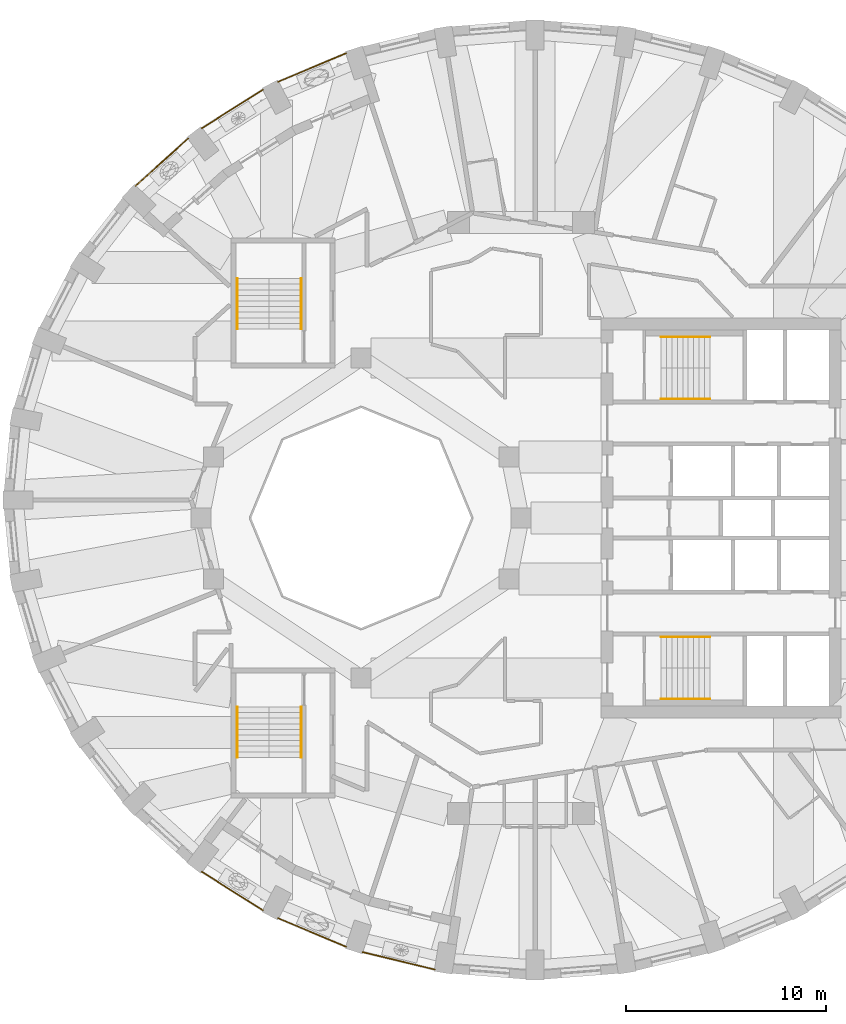
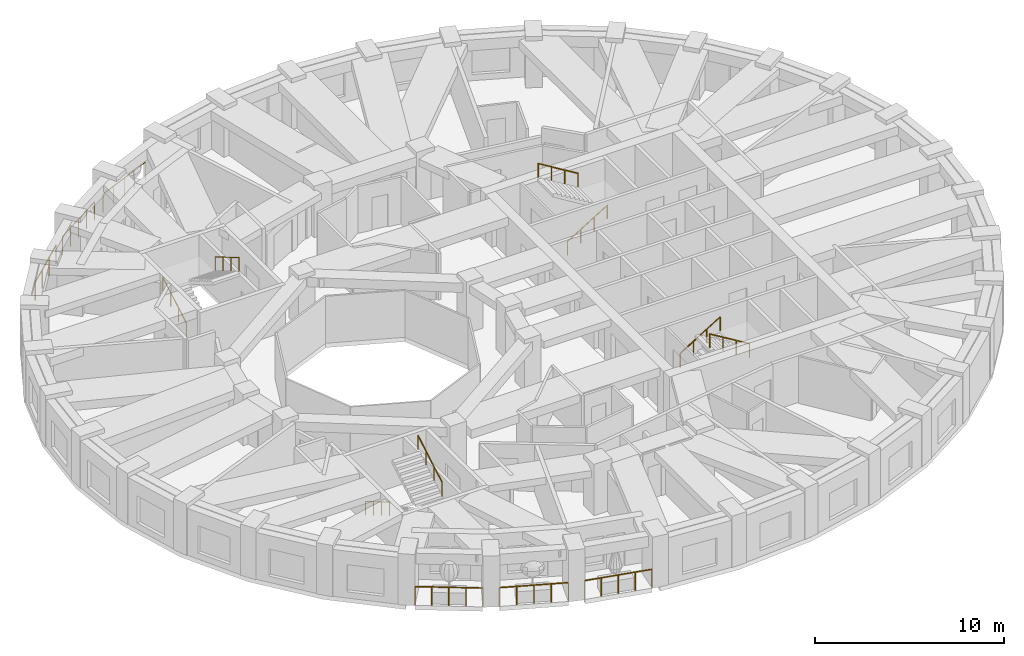
# One storey, part 10 of 12: 14 railings.
"""IFC4 building model written with IfcOpenShell, lengths in metres."""

from ifc_helpers import new_model, si_unit, direction, frame, origin, origin_2d, place, context, subcontext, project, spatial, circle, extrude, material, type_object, element, save


model = new_model("IFC4")

# Units and contexts
model_context = context("Model", 3, precision=1e-05, world=origin(), true_north=direction((0.0, 1.0)))
body_context = subcontext(model_context, "Body", "Model", "MODEL_VIEW")
ifc_project = project(units=[si_unit("LENGTHUNIT", "METRE"), si_unit("AREAUNIT", "SQUARE_METRE"), si_unit("VOLUMEUNIT", "CUBIC_METRE"), si_unit("PLANEANGLEUNIT", "RADIAN"), si_unit("MASSUNIT", "GRAM", prefix="KILO")], contexts=[model_context])

# Site, building, storey
site_placement = place(None, origin())
site = spatial("IfcSite", under=ifc_project, at=site_placement, CompositionType="ELEMENT")
building_placement = place(site_placement, origin())
building = spatial("IfcBuilding", under=site, at=building_placement, Name="Taillehof Tower", CompositionType="ELEMENT")
storey_placement = place(building_placement, frame((0.0, 0.0, 215.60009765625)))
storey = spatial("IfcBuildingStorey", under=building, at=storey_placement, Name="L61", CompositionType="ELEMENT", Elevation=215.60009765625)

# Railings
ifc_material_1 = material(Name="Stainless steel balustrade", Category="steel")
railing_type_1 = type_object("IfcRailingType", Name="Balcony guard 1200", PredefinedType="GUARDRAIL", material=ifc_material_1)
railing_1_placement = place(storey_placement, frame((-15.967041015625, -17.6904296875, 0.0)))
element("IfcRailing", 1, at=railing_1_placement, inside=storey, type_object=railing_type_1, Name="Balcony guard L61 bay 24", PredefinedType="GUARDRAIL", context=body_context, shape_type="SweptSolid", body=[
    extrude(circle(Radius=0.02392578125, at=origin_2d()), frame((0.0, 0.0, 1.17578125), z_axis=(0.846122283453, -0.532988819249, 0.0), x_axis=(0.532988819249, 0.846122283453, 0.0)), (0.0, 0.0, 1.0), 3.614501953125),
    extrude(circle(Radius=0.02099609375, at=origin_2d()), origin(), (0.0, 0.0, 1.0), 1.15185546875),
    extrude(circle(Radius=0.02099609375, at=origin_2d()), frame((0.7646484375, -0.481689453125, 0.0)), (0.0, 0.0, 1.0), 1.15185546875),
    extrude(circle(Radius=0.02099609375, at=origin_2d()), frame((1.529296875, -0.96337890625, 0.0)), (0.0, 0.0, 1.0), 1.15185546875),
    extrude(circle(Radius=0.02099609375, at=origin_2d()), frame((2.293701171875, -1.44482421875, 0.0)), (0.0, 0.0, 1.0), 1.15185546875),
    extrude(circle(Radius=0.02099609375, at=origin_2d()), frame((3.058349609375, -1.926513671875, 0.0)), (0.0, 0.0, 1.0), 1.15185546875),
])
railing_2_placement = place(storey_placement, frame((-12.145751953125, -20.013671875, 0.0)))
element("IfcRailing", 2, at=railing_2_placement, inside=storey, type_object=railing_type_1, Name="Balcony guard L61 bay 25", PredefinedType="GUARDRAIL", context=body_context, shape_type="SweptSolid", body=[
    extrude(circle(Radius=0.02392578125, at=origin_2d()), frame((0.0, 0.0, 1.17578125), z_axis=(0.922153135678, -0.386825017752, 0.0), x_axis=(0.386825017752, 0.922153135678, 0.0)), (0.0, 0.0, 1.0), 3.677734375),
    extrude(circle(Radius=0.02099609375, at=origin_2d()), origin(), (0.0, 0.0, 1.0), 1.15185546875),
    extrude(circle(Radius=0.02099609375, at=origin_2d()), frame((0.847900390625, -0.355712890625, 0.0)), (0.0, 0.0, 1.0), 1.15185546875),
    extrude(circle(Radius=0.02099609375, at=origin_2d()), frame((1.69580078125, -0.71142578125, 0.0)), (0.0, 0.0, 1.0), 1.15185546875),
    extrude(circle(Radius=0.02099609375, at=origin_2d()), frame((2.54345703125, -1.06689453125, 0.0)), (0.0, 0.0, 1.0), 1.15185546875),
    extrude(circle(Radius=0.02099609375, at=origin_2d()), frame((3.391357421875, -1.422607421875, 0.0)), (0.0, 0.0, 1.0), 1.15185546875),
])
railing_3_placement = place(storey_placement, frame((-7.93701171875, -21.704345703125, 0.0)))
element("IfcRailing", 3, at=railing_3_placement, inside=storey, type_object=railing_type_1, Name="Balcony guard L61 bay 26", PredefinedType="GUARDRAIL", context=body_context, shape_type="SweptSolid", body=[
    extrude(circle(Radius=0.02392578125, at=origin_2d()), frame((0.0, 0.0, 1.17578125), z_axis=(0.972163104093, -0.234305140875, 0.0), x_axis=(0.234305140875, 0.972163104093, 0.0)), (0.0, 0.0, 1.0), 3.72412109375),
    extrude(circle(Radius=0.02099609375, at=origin_2d()), origin(), (0.0, 0.0, 1.0), 1.15185546875),
    extrude(circle(Radius=0.02099609375, at=origin_2d()), frame((0.905029296875, -0.21826171875, 0.0)), (0.0, 0.0, 1.0), 1.15185546875),
    extrude(circle(Radius=0.02099609375, at=origin_2d()), frame((1.81005859375, -0.436279296875, 0.0)), (0.0, 0.0, 1.0), 1.15185546875),
    extrude(circle(Radius=0.02099609375, at=origin_2d()), frame((2.71533203125, -0.654296875, 0.0)), (0.0, 0.0, 1.0), 1.15185546875),
    extrude(circle(Radius=0.02099609375, at=origin_2d()), frame((3.620361328125, -0.87255859375, 0.0)), (0.0, 0.0, 1.0), 1.15185546875),
])
railing_4_placement = place(storey_placement, frame((-8.75439453125, 23.236328125, 0.0)))
element("IfcRailing", 4, at=railing_4_placement, inside=storey, type_object=railing_type_1, Name="Balcony guard L61 bay 12", PredefinedType="GUARDRAIL", context=body_context, shape_type="SweptSolid", body=[
    extrude(circle(Radius=0.02392578125, at=origin_2d()), frame((0.0, 0.0, 1.17578125), z_axis=(-0.922153135678, -0.386825017752, 0.0), x_axis=(0.386825017752, -0.922153135678, 0.0)), (0.0, 0.0, 1.0), 3.677734375),
    extrude(circle(Radius=0.02099609375, at=origin_2d()), origin(), (0.0, 0.0, 1.0), 1.15185546875),
    extrude(circle(Radius=0.02099609375, at=origin_2d()), frame((-0.847900390625, -0.355712890625, 0.0)), (0.0, 0.0, 1.0), 1.15185546875),
    extrude(circle(Radius=0.02099609375, at=origin_2d()), frame((-1.69580078125, -0.71142578125, 0.0)), (0.0, 0.0, 1.0), 1.15185546875),
    extrude(circle(Radius=0.02099609375, at=origin_2d()), frame((-2.54345703125, -1.06689453125, 0.0)), (0.0, 0.0, 1.0), 1.15185546875),
    extrude(circle(Radius=0.02099609375, at=origin_2d()), frame((-3.391357421875, -1.422607421875, 0.0)), (0.0, 0.0, 1.0), 1.15185546875),
])
railing_5_placement = place(storey_placement, frame((-12.90869140625, 21.4169921875, 0.0)))
element("IfcRailing", 5, at=railing_5_placement, inside=storey, type_object=railing_type_1, Name="Balcony guard L61 bay 13", PredefinedType="GUARDRAIL", context=body_context, shape_type="SweptSolid", body=[
    extrude(circle(Radius=0.02392578125, at=origin_2d()), frame((0.0, 0.0, 1.17578125), z_axis=(-0.846122283453, -0.532988819249, 0.0), x_axis=(0.532988819249, -0.846122283453, 0.0)), (0.0, 0.0, 1.0), 3.614501953125),
    extrude(circle(Radius=0.02099609375, at=origin_2d()), origin(), (0.0, 0.0, 1.0), 1.15185546875),
    extrude(circle(Radius=0.02099609375, at=origin_2d()), frame((-0.7646484375, -0.481689453125, 0.0)), (0.0, 0.0, 1.0), 1.15185546875),
    extrude(circle(Radius=0.02099609375, at=origin_2d()), frame((-1.529296875, -0.96337890625, 0.0)), (0.0, 0.0, 1.0), 1.15185546875),
    extrude(circle(Radius=0.02099609375, at=origin_2d()), frame((-2.293701171875, -1.44482421875, 0.0)), (0.0, 0.0, 1.0), 1.15185546875),
    extrude(circle(Radius=0.02099609375, at=origin_2d()), frame((-3.058349609375, -1.926513671875, 0.0)), (0.0, 0.0, 1.0), 1.15185546875),
])
railing_6_placement = place(storey_placement, frame((-16.6533203125, 18.971923828125, 0.0)))
element("IfcRailing", 6, at=railing_6_placement, inside=storey, type_object=railing_type_1, Name="Balcony guard L61 bay 14", PredefinedType="GUARDRAIL", context=body_context, shape_type="SweptSolid", body=[
    extrude(circle(Radius=0.02392578125, at=origin_2d()), frame((0.0, 0.0, 1.17578125), z_axis=(-0.743448370075, -0.668793332079, 0.0), x_axis=(0.668793332079, -0.743448370075, 0.0)), (0.0, 0.0, 1.0), 3.541748046875),
    extrude(circle(Radius=0.02099609375, at=origin_2d()), origin(), (0.0, 0.0, 1.0), 1.15185546875),
    extrude(circle(Radius=0.02099609375, at=origin_2d()), frame((-0.877685546875, -0.78955078125, 0.0)), (0.0, 0.0, 1.0), 1.15185546875),
    extrude(circle(Radius=0.02099609375, at=origin_2d()), frame((-1.75537109375, -1.5791015625, 0.0)), (0.0, 0.0, 1.0), 1.15185546875),
    extrude(circle(Radius=0.02099609375, at=origin_2d()), frame((-2.633056640625, -2.36865234375, 0.0)), (0.0, 0.0, 1.0), 1.15185546875),
])
ifc_material_2 = material(Name="Stainless steel", Category="steel")
railing_type_2 = type_object("IfcRailingType", Name="Stair handrail 900", PredefinedType="HANDRAIL", material=ifc_material_2)
railing_7_placement = place(storey_placement, frame((7.0, 5.949951171875, 0.164794921875)))
element("IfcRailing", 7, at=railing_7_placement, inside=storey, type_object=railing_type_2, Name="Stair S1 handrail", PredefinedType="HANDRAIL", context=body_context, shape_type="SweptSolid", body=[
    extrude(circle(Radius=0.02392578125, at=origin_2d()), frame((0.0, 0.0, 0.8759765625), z_axis=(0.853258522278, 0.0, 0.521488153423), x_axis=(0.0, 1.0, 0.0)), (0.0, 0.0, 1.0), 2.847900390625),
    extrude(circle(Radius=0.02099609375, at=origin_2d()), origin(), (0.0, 0.0, 1.0), 0.851806640625),
    extrude(circle(Radius=0.02099609375, at=origin_2d()), frame((0.81005859375, 0.0, 0.4951171875)), (0.0, 0.0, 1.0), 0.851806640625),
    extrude(circle(Radius=0.02099609375, at=origin_2d()), frame((1.619873046875, 0.0, 0.989990234375)), (0.0, 0.0, 1.0), 0.851806640625),
    extrude(circle(Radius=0.02099609375, at=origin_2d()), frame((2.429931640625, 0.0, 1.485107421875)), (0.0, 0.0, 1.0), 0.851806640625),
])
railing_8_placement = place(storey_placement, frame((9.429931640625, 9.050048828125, 1.81494140625)))
element("IfcRailing", 8, at=railing_8_placement, inside=storey, type_object=railing_type_2, Name="Stair S1 handrail", PredefinedType="HANDRAIL", context=body_context, shape_type="SweptSolid", body=[
    extrude(circle(Radius=0.02392578125, at=origin_2d()), frame((0.0, 0.0, 0.8759765625), z_axis=(-0.853296667938, 0.0, 0.521425734392), x_axis=(0.0, -1.0, 0.0)), (0.0, 0.0, 1.0), 2.84765625),
    extrude(circle(Radius=0.02099609375, at=origin_2d()), origin(), (0.0, 0.0, 1.0), 0.851806640625),
    extrude(circle(Radius=0.02099609375, at=origin_2d()), frame((-0.81005859375, 0.0, 0.494873046875)), (0.0, 0.0, 1.0), 0.851806640625),
    extrude(circle(Radius=0.02099609375, at=origin_2d()), frame((-1.619873046875, 0.0, 0.989990234375)), (0.0, 0.0, 1.0), 0.851806640625),
    extrude(circle(Radius=0.02099609375, at=origin_2d()), frame((-2.429931640625, 0.0, 1.48486328125)), (0.0, 0.0, 1.0), 0.851806640625),
])
railing_9_placement = place(storey_placement, frame((7.0, -5.949951171875, 0.164794921875)))
element("IfcRailing", 9, at=railing_9_placement, inside=storey, type_object=railing_type_2, Name="Stair S2 handrail", PredefinedType="HANDRAIL", context=body_context, shape_type="SweptSolid", body=[
    extrude(circle(Radius=0.02392578125, at=origin_2d()), frame((0.0, 0.0, 0.8759765625), z_axis=(0.853258522278, 0.0, 0.521488153423), x_axis=(0.0, 1.0, 0.0)), (0.0, 0.0, 1.0), 2.847900390625),
    extrude(circle(Radius=0.02099609375, at=origin_2d()), origin(), (0.0, 0.0, 1.0), 0.851806640625),
    extrude(circle(Radius=0.02099609375, at=origin_2d()), frame((0.81005859375, 0.0, 0.4951171875)), (0.0, 0.0, 1.0), 0.851806640625),
    extrude(circle(Radius=0.02099609375, at=origin_2d()), frame((1.619873046875, 0.0, 0.989990234375)), (0.0, 0.0, 1.0), 0.851806640625),
    extrude(circle(Radius=0.02099609375, at=origin_2d()), frame((2.429931640625, 0.0, 1.485107421875)), (0.0, 0.0, 1.0), 0.851806640625),
])
railing_10_placement = place(storey_placement, frame((9.429931640625, -9.050048828125, 1.81494140625)))
element("IfcRailing", 10, at=railing_10_placement, inside=storey, type_object=railing_type_2, Name="Stair S2 handrail", PredefinedType="HANDRAIL", context=body_context, shape_type="SweptSolid", body=[
    extrude(circle(Radius=0.02392578125, at=origin_2d()), frame((0.0, 0.0, 0.8759765625), z_axis=(-0.853296667938, 0.0, 0.521425734392), x_axis=(0.0, -1.0, 0.0)), (0.0, 0.0, 1.0), 2.84765625),
    extrude(circle(Radius=0.02099609375, at=origin_2d()), origin(), (0.0, 0.0, 1.0), 0.851806640625),
    extrude(circle(Radius=0.02099609375, at=origin_2d()), frame((-0.81005859375, 0.0, 0.494873046875)), (0.0, 0.0, 1.0), 0.851806640625),
    extrude(circle(Radius=0.02099609375, at=origin_2d()), frame((-1.619873046875, 0.0, 0.989990234375)), (0.0, 0.0, 1.0), 0.851806640625),
    extrude(circle(Radius=0.02099609375, at=origin_2d()), frame((-2.429931640625, 0.0, 1.48486328125)), (0.0, 0.0, 1.0), 0.851806640625),
])
railing_11_placement = place(storey_placement, frame((-14.199951171875, 9.449951171875, 0.164794921875)))
element("IfcRailing", 11, at=railing_11_placement, inside=storey, type_object=railing_type_2, Name="Stair S3 handrail", PredefinedType="HANDRAIL", context=body_context, shape_type="SweptSolid", body=[
    extrude(circle(Radius=0.02392578125, at=origin_2d()), frame((0.0, 0.0, 0.8759765625), z_axis=(0.0, 0.86152411907, 0.507716645641), x_axis=(-1.0, 0.0, 0.0)), (0.0, 0.0, 1.0), 2.925048828125),
    extrude(circle(Radius=0.02099609375, at=origin_2d()), origin(), (0.0, 0.0, 1.0), 0.851806640625),
    extrude(circle(Radius=0.02099609375, at=origin_2d()), frame((0.0, 0.840087890625, 0.4951171875)), (0.0, 0.0, 1.0), 0.851806640625),
    extrude(circle(Radius=0.02099609375, at=origin_2d()), frame((0.0, 1.679931640625, 0.989990234375)), (0.0, 0.0, 1.0), 0.851806640625),
    extrude(circle(Radius=0.02099609375, at=origin_2d()), frame((0.0, 2.52001953125, 1.485107421875)), (0.0, 0.0, 1.0), 0.851806640625),
])
railing_12_placement = place(storey_placement, frame((-11.0, 11.969970703125, 1.81494140625)))
element("IfcRailing", 12, at=railing_12_placement, inside=storey, type_object=railing_type_2, Name="Stair S3 handrail", PredefinedType="HANDRAIL", context=body_context, shape_type="SweptSolid", body=[
    extrude(circle(Radius=0.02392578125, at=origin_2d()), frame((0.0, 0.0, 0.8759765625), z_axis=(0.0, -0.861560626758, 0.507654692109), x_axis=(1.0, 0.0, 0.0)), (0.0, 0.0, 1.0), 2.925048828125),
    extrude(circle(Radius=0.02099609375, at=origin_2d()), origin(), (0.0, 0.0, 1.0), 0.851806640625),
    extrude(circle(Radius=0.02099609375, at=origin_2d()), frame((0.0, -0.840087890625, 0.494873046875)), (0.0, 0.0, 1.0), 0.851806640625),
    extrude(circle(Radius=0.02099609375, at=origin_2d()), frame((0.0, -1.679931640625, 0.989990234375)), (0.0, 0.0, 1.0), 0.851806640625),
    extrude(circle(Radius=0.02099609375, at=origin_2d()), frame((0.0, -2.52001953125, 1.48486328125)), (0.0, 0.0, 1.0), 0.851806640625),
])
railing_13_placement = place(storey_placement, frame((-14.199951171875, -9.449951171875, 0.164794921875)))
element("IfcRailing", 13, at=railing_13_placement, inside=storey, type_object=railing_type_2, Name="Stair S4 handrail", PredefinedType="HANDRAIL", context=body_context, shape_type="SweptSolid", body=[
    extrude(circle(Radius=0.02392578125, at=origin_2d()), frame((0.0, 0.0, 0.8759765625), z_axis=(0.0, -0.86152411907, 0.507716645641), x_axis=(1.0, 0.0, 0.0)), (0.0, 0.0, 1.0), 2.925048828125),
    extrude(circle(Radius=0.02099609375, at=origin_2d()), origin(), (0.0, 0.0, 1.0), 0.851806640625),
    extrude(circle(Radius=0.02099609375, at=origin_2d()), frame((0.0, -0.840087890625, 0.4951171875)), (0.0, 0.0, 1.0), 0.851806640625),
    extrude(circle(Radius=0.02099609375, at=origin_2d()), frame((0.0, -1.679931640625, 0.989990234375)), (0.0, 0.0, 1.0), 0.851806640625),
    extrude(circle(Radius=0.02099609375, at=origin_2d()), frame((0.0, -2.52001953125, 1.485107421875)), (0.0, 0.0, 1.0), 0.851806640625),
])
railing_14_placement = place(storey_placement, frame((-11.0, -11.969970703125, 1.81494140625)))
element("IfcRailing", 14, at=railing_14_placement, inside=storey, type_object=railing_type_2, Name="Stair S4 handrail", PredefinedType="HANDRAIL", context=body_context, shape_type="SweptSolid", body=[
    extrude(circle(Radius=0.02392578125, at=origin_2d()), frame((0.0, 0.0, 0.8759765625), z_axis=(0.0, 0.861560626758, 0.507654692109), x_axis=(-1.0, 0.0, 0.0)), (0.0, 0.0, 1.0), 2.925048828125),
    extrude(circle(Radius=0.02099609375, at=origin_2d()), origin(), (0.0, 0.0, 1.0), 0.851806640625),
    extrude(circle(Radius=0.02099609375, at=origin_2d()), frame((0.0, 0.840087890625, 0.494873046875)), (0.0, 0.0, 1.0), 0.851806640625),
    extrude(circle(Radius=0.02099609375, at=origin_2d()), frame((0.0, 1.679931640625, 0.989990234375)), (0.0, 0.0, 1.0), 0.851806640625),
    extrude(circle(Radius=0.02099609375, at=origin_2d()), frame((0.0, 2.52001953125, 1.48486328125)), (0.0, 0.0, 1.0), 0.851806640625),
])

save(model, "model.ifc")
